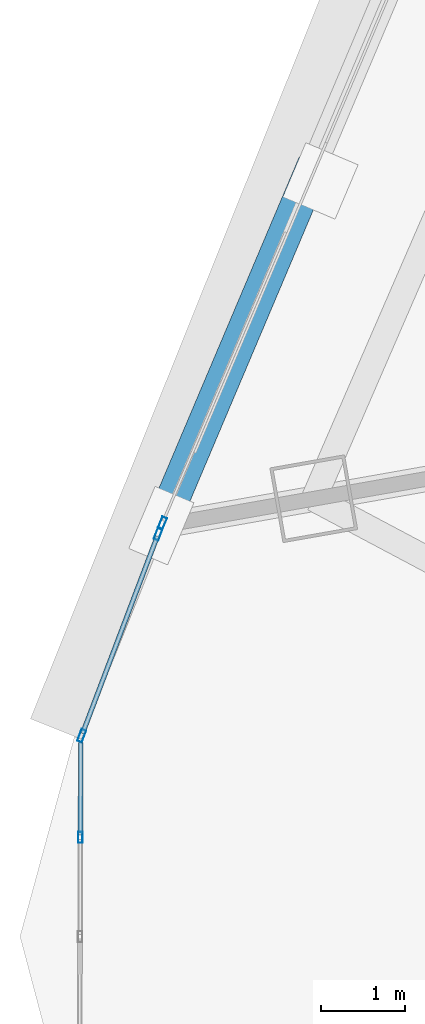
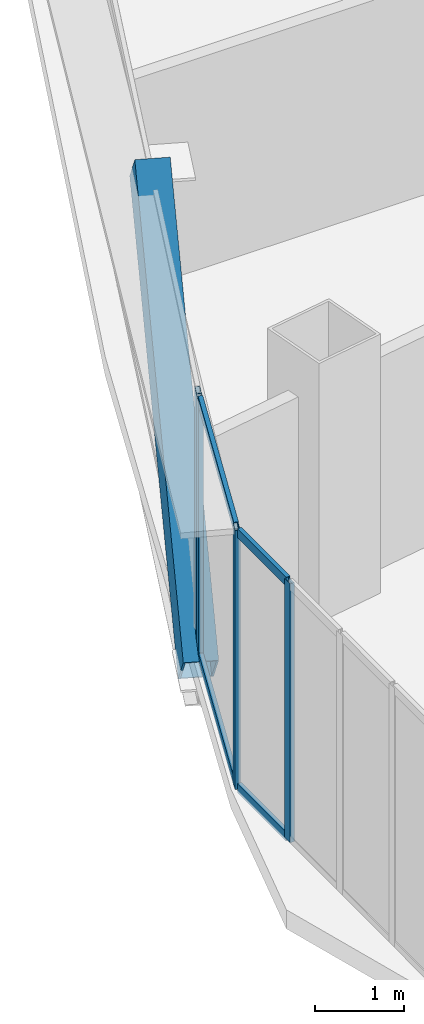
# One storey, part 4 of 37: 9 members, 3 elements without a shape of their own.
"""IFC4 building model written with IfcOpenShell, lengths in metres."""

import ifcopenshell
import ifcopenshell.guid

model = None  # the IFC model being written
_history = None  # IfcOwnerHistory: only IFC2X3 demands one
_inside = {}  # id of a spatial element -> (the spatial element, [elements in it])
_under = {}  # id of a project, library or spatial element -> (it, [spatial elements below it])
_declared = {}  # id of a project -> (the project, [libraries it declares])
_typed = {}  # id of a type object -> (the type object, [elements of that type])
_made_of = {}  # id of a material, layer set ... -> (it, [elements and type objects made of it])


def new_model(schema):
    """Start an empty IFC model of exactly this schema.

    Asked for "IFC4X3", IfcOpenShell would pick the latest addendum, in which some entities
    have other attributes; the version numbers below select the first issue.
    IFC2X3 requires an IfcOwnerHistory on every rooted entity: one is made here for all.
    """
    global model, _history
    if schema == "IFC4X3":
        model = ifcopenshell.file(schema_version=(4, 3, 0, 0))
    else:
        model = ifcopenshell.file(schema=schema)
    _inside.clear()
    _under.clear()
    _declared.clear()
    _typed.clear()
    _made_of.clear()
    _history = None
    if model.schema == "IFC2X3":
        org = make("IfcOrganization", Name="unknown")
        user = make(
            "IfcPersonAndOrganization",
            ThePerson=make("IfcPerson", FamilyName="unknown"),
            TheOrganization=org,
        )
        app = make(
            "IfcApplication",
            ApplicationDeveloper=org,
            Version="unknown",
            ApplicationFullName="unknown",
            ApplicationIdentifier="unknown",
        )
        _history = make(
            "IfcOwnerHistory",
            OwningUser=user,
            OwningApplication=app,
            ChangeAction="ADDED",
            CreationDate=0,
        )
    return model


def make(cls, **values):
    """One entity of the class cls with the attributes given. An attribute that is None is left unset."""
    return model.create_entity(
        cls, **{name: value for name, value in values.items() if value is not None}
    )


def rooted(cls, **values):
    """An entity with a GlobalId (a new one), such as an element, a storey or a relation."""
    return make(cls, GlobalId=ifcopenshell.guid.new(), OwnerHistory=_history, **values)


def si_unit(unit_type, name, prefix=None):
    """IfcSIUnit, for example si_unit("LENGTHUNIT", "METRE", prefix="MILLI")."""
    return make("IfcSIUnit", UnitType=unit_type, Prefix=prefix, Name=name)


def assignment(units):
    """IfcUnitAssignment: the units of a project."""
    return None if units is None else make("IfcUnitAssignment", Units=units)


def point(xyz):
    """IfcCartesianPoint."""
    return None if xyz is None else make("IfcCartesianPoint", Coordinates=xyz)


def direction(xyz):
    """IfcDirection."""
    return None if xyz is None else make("IfcDirection", DirectionRatios=xyz)


def frame(location, z_axis=None, x_axis=None):
    """IfcAxis2Placement3D, a coordinate frame: its origin and axes. An axis left out is left unset."""
    return make(
        "IfcAxis2Placement3D",
        Location=point(location),
        Axis=direction(z_axis),
        RefDirection=direction(x_axis),
    )


def frame_2d(location, x_axis=None):
    """IfcAxis2Placement2D, a coordinate frame in the plane: its origin and x axis."""
    return make(
        "IfcAxis2Placement2D", Location=point(location), RefDirection=direction(x_axis)
    )


def origin():
    """The frame at (0, 0, 0) with its axes left unset."""
    return frame((0.0, 0.0, 0.0))


def origin_2d():
    """The frame at (0, 0) in the plane with its x axis left unset."""
    return frame_2d((0.0, 0.0))


def place(relative_to, where):
    """IfcLocalPlacement: puts the frame where relative to a parent placement (None: the world)."""
    return make(
        "IfcLocalPlacement", PlacementRelTo=relative_to, RelativePlacement=where
    )


def context(
    kind, dimensions, precision=None, world=None, true_north=None, identifier=None
):
    """IfcGeometricRepresentationContext, for example the 3D "Model" context."""
    return make(
        "IfcGeometricRepresentationContext",
        ContextIdentifier=identifier,
        ContextType=kind,
        CoordinateSpaceDimension=dimensions,
        Precision=precision,
        WorldCoordinateSystem=world,
        TrueNorth=true_north,
    )


def subcontext(parent, identifier, kind, view, scale=None):
    """IfcGeometricRepresentationSubContext, for example "Body" below "Model"."""
    return make(
        "IfcGeometricRepresentationSubContext",
        ContextIdentifier=identifier,
        ContextType=kind,
        ParentContext=parent,
        TargetScale=scale,
        TargetView=view,
    )


def project(units=None, contexts=None):
    """IfcProject with its units and contexts."""
    return rooted(
        "IfcProject",
        Name="project",
        RepresentationContexts=contexts,
        UnitsInContext=assignment(units),
    )


def spatial(cls, under=None, at=None, **own):
    """A site, building, storey or space (cls), placed at a placement, below another one or the project."""
    s = rooted(cls, ObjectPlacement=at, **own)
    if under is not None:
        _under.setdefault(under.id(), (under, []))[1].append(s)
    return s


def profile(cls, at=None, kind="AREA", **sizes):
    """A parametric profile (cls). Its sizes go by their IFC names, for example OverallWidth=200.0."""
    return make(cls, ProfileType=kind, Position=at, **sizes)


def hollow_rectangle(**sizes):
    """IfcRectangleHollowProfileDef."""
    return profile("IfcRectangleHollowProfileDef", **sizes)


def extrude(swept, where, along, depth):
    """IfcExtrudedAreaSolid: the profile swept, set in the frame where, extruded along a direction by depth."""
    return make(
        "IfcExtrudedAreaSolid",
        SweptArea=swept,
        Position=where,
        ExtrudedDirection=direction(along),
        Depth=depth,
    )


def shape(context_of_items, identifier, shape_type, items):
    """IfcShapeRepresentation: the items that make up one representation, for example the "Body"."""
    return make(
        "IfcShapeRepresentation",
        ContextOfItems=context_of_items,
        RepresentationIdentifier=identifier,
        RepresentationType=shape_type,
        Items=items,
    )


def source(mapping_origin, context_of_items, identifier, shape_type, items):
    """IfcRepresentationMap: a shape defined once, which mapped items show again and again."""
    return make(
        "IfcRepresentationMap",
        MappingOrigin=mapping_origin,
        MappedRepresentation=shape(context_of_items, identifier, shape_type, items),
    )


def transform(
    local_origin,
    x_axis=None,
    y_axis=None,
    z_axis=None,
    scale=None,
    scale2=None,
    scale3=None,
    uniform=True,
):
    """IfcCartesianTransformationOperator3D, or its non-uniform kind. x_axis, y_axis, z_axis: its Axis1, 2, 3."""
    if uniform:
        return make(
            "IfcCartesianTransformationOperator3D",
            Axis1=direction(x_axis),
            Axis2=direction(y_axis),
            LocalOrigin=point(local_origin),
            Scale=scale,
            Axis3=direction(z_axis),
        )
    return make(
        "IfcCartesianTransformationOperator3DnonUniform",
        Axis1=direction(x_axis),
        Axis2=direction(y_axis),
        LocalOrigin=point(local_origin),
        Scale=scale,
        Axis3=direction(z_axis),
        Scale2=scale2,
        Scale3=scale3,
    )


def mapped(mapping_source, mapping_target):
    """IfcMappedItem: shows the shape of a source again, moved by a transform."""
    return make(
        "IfcMappedItem", MappingSource=mapping_source, MappingTarget=mapping_target
    )


def material(Name=None, Category=None):
    """IfcMaterial."""
    return make("IfcMaterial", Name=Name, Category=Category)


def layer(
    of_material, thickness, ventilated=None, Name=None, Category=None, Priority=None
):
    """IfcMaterialLayer: one layer of a wall or slab, of a material (None: an air gap)."""
    return make(
        "IfcMaterialLayer",
        Material=of_material,
        LayerThickness=thickness,
        IsVentilated=ventilated,
        Name=Name,
        Category=Category,
        Priority=Priority,
    )


def layer_set(layers, Name=None):
    """IfcMaterialLayerSet."""
    return make("IfcMaterialLayerSet", MaterialLayers=layers, LayerSetName=Name)


def material_profile(
    of_material, cross_section, Name=None, Category=None, Priority=None
):
    """IfcMaterialProfile: a cross section and its material."""
    return make(
        "IfcMaterialProfile",
        Name=Name,
        Material=of_material,
        Profile=cross_section,
        Priority=Priority,
        Category=Category,
    )


def profile_set(profiles, Name=None, composite=None):
    """IfcMaterialProfileSet."""
    return make(
        "IfcMaterialProfileSet",
        Name=Name,
        MaterialProfiles=profiles,
        CompositeProfile=composite,
    )


def made_of(thing, what):
    """Note that an element or type object is made of a material, layer set ...; save() writes the relation."""
    if what is not None:
        _made_of.setdefault(what.id(), (what, []))[1].append(thing)
    return thing


def type_object(cls, material=None, **own):
    """A type object (cls), such as IfcWallType, which elements share."""
    return made_of(rooted(cls, **own), material)


def element(
    cls,
    number,
    at=None,
    inside=None,
    cuts=None,
    type_object=None,
    material=None,
    context=None,
    identifier="Body",
    shape_type=None,
    held_by="IfcProductDefinitionShape",
    body=None,
    shapes=None,
    **own,
):
    """One element of the class cls, such as IfcWall. Its Tag is "e" and its number.

    at: its placement. inside: the storey or other place that contains it. cuts: it is an
    opening in that element (IfcRelVoidsElement). A single representation is given by context,
    identifier, shape_type and body (its items); several are given by shapes. held_by: the class
    of the entity that holds the representations. save() writes the other relations.
    """
    e = rooted(cls, Tag="e%d" % number, ObjectPlacement=at, **own)
    if body is not None:
        shapes = [shape(context, identifier, shape_type, body)]
    if shapes is not None:
        e.Representation = make(held_by, Representations=shapes)
    if inside is not None:
        _inside.setdefault(inside.id(), (inside, []))[1].append(e)
    if cuts is not None:
        rooted(
            "IfcRelVoidsElement", RelatingBuildingElement=cuts, RelatedOpeningElement=e
        )
    if type_object is not None:
        _typed.setdefault(type_object.id(), (type_object, []))[1].append(e)
    return made_of(e, material)


def aggregate(whole, parts):
    """IfcRelAggregates: a whole, such as a stair, and the parts it consists of."""
    return rooted("IfcRelAggregates", RelatingObject=whole, RelatedObjects=parts)


def save(model, path):
    """Write the relations noted so far, then the file.

    IfcRelAggregates (storeys below a building ...), IfcRelContainedInSpatialStructure (elements
    in a storey), IfcRelDefinesByType, IfcRelAssociatesMaterial and IfcRelDeclares: one each for
    every whole, place, type object, material and project.
    """
    for whole, parts in _under.values():
        aggregate(whole, parts)
    for where, things in _inside.values():
        rooted(
            "IfcRelContainedInSpatialStructure",
            RelatedElements=things,
            RelatingStructure=where,
        )
    for kind, things in _typed.values():
        rooted("IfcRelDefinesByType", RelatedObjects=things, RelatingType=kind)
    for what, things in _made_of.values():
        rooted("IfcRelAssociatesMaterial", RelatedObjects=things, RelatingMaterial=what)
    for by, libraries in _declared.values():
        rooted("IfcRelDeclares", RelatingContext=by, RelatedDefinitions=libraries)
    model.write(path)


model = new_model("IFC4")

# Units and contexts
model_context = context("Model", 3, precision=1e-05, world=origin(), true_north=direction((0.0, 1.0)))
body_context = subcontext(model_context, "Body", "Model", "MODEL_VIEW")
ifc_project = project(units=[si_unit("LENGTHUNIT", "METRE"), si_unit("AREAUNIT", "SQUARE_METRE"), si_unit("VOLUMEUNIT", "CUBIC_METRE"), si_unit("PLANEANGLEUNIT", "RADIAN"), si_unit("MASSUNIT", "GRAM", prefix="KILO"), si_unit("THERMODYNAMICTEMPERATUREUNIT", "KELVIN"), si_unit("POWERUNIT", "WATT")], contexts=[model_context])

# Site, building, storey
site_placement = place(None, origin())
site = spatial("IfcSite", under=ifc_project, at=site_placement, CompositionType="ELEMENT")
building_placement = place(site_placement, origin())
building = spatial("IfcBuilding", under=site, at=building_placement, Name="Yunzhuo Pagoda Commons", CompositionType="ELEMENT")
storey_placement = place(building_placement, frame((0.0, 0.0, 207.56005859375)))
storey = spatial("IfcBuildingStorey", under=building, at=storey_placement, Name="L52", CompositionType="ELEMENT", Elevation=207.56005859375)

# Member
ifc_material_1 = material(Name="Structural steel Q355B", Category="steel")
ifc_material_profile_1 = material_profile(ifc_material_1, hollow_rectangle(XDim=0.39990234375, YDim=0.719970703125, WallThickness=0.02392578125, at=origin_2d()), Name="Structural steel Q355B")
ifc_profile_set_1 = profile_set([ifc_material_profile_1], Name="Structural steel Q355B")
member_type_1 = type_object("IfcMemberType", Name="M-DL2 Brace BOX 720x400x24", PredefinedType="BRACE", material=ifc_profile_set_1)
shared_shape_1 = source(origin(), body_context, "Body", "SweptSolid", [
    extrude(hollow_rectangle(XDim=0.39990234375, YDim=0.719970703125, WallThickness=0.02392578125, at=origin_2d()), origin(), (0.0, 0.0, 1.0), 5.8349609375),
])
member_1_placement = place(storey_placement, frame((10.985595703125, 27.17333984375, -0.260009765625), z_axis=(0.295947496417, 0.698759110725, 0.651268596313), x_axis=(-0.920816502007, 0.389996114892, 0.0)))
element("IfcMember", 1, at=member_1_placement, inside=storey, type_object=member_type_1, Name="L52 facade diamond brace F3.3R", PredefinedType="BRACE", context=body_context, shape_type="MappedRepresentation", body=[
    mapped(shared_shape_1, transform((0.0, 0.0, 0.0), scale=1.0)),
])

# Curtain wall, member
ifc_material_2 = material(Name="Anodized aluminium 6063-T6", Category="aluminium")
ifc_layer_1 = layer(ifc_material_2, 0.1298828125)
ifc_layer_set_1 = layer_set([ifc_layer_1], Name="Anodized aluminium 6063-T6")
curtain_wall_type_1 = type_object("IfcCurtainWallType", Name="CW-VTX Rounded Corner Curtain Wall", PredefinedType="NOTDEFINED", material=ifc_layer_set_1)
curtain_wall_1_placement = place(storey_placement, origin())
curtain_wall_1 = element("IfcCurtainWall", 2, at=curtain_wall_1_placement, inside=storey, type_object=curtain_wall_type_1, Name="L52 curtain wall CW-L52-VTX1S1", PredefinedType="NOTDEFINED")
ifc_material_profile_2 = material_profile(ifc_material_2, hollow_rectangle(XDim=0.054931640625, YDim=0.1298828125, WallThickness=0.00341796875, at=origin_2d()), Name="Anodized aluminium 6063-T6")
ifc_profile_set_2 = profile_set([ifc_material_profile_2], Name="Anodized aluminium 6063-T6")
member_type_2 = type_object("IfcMemberType", Name="CW-VTX-M Mullion RHS 130x55x3.5", PredefinedType="MULLION", material=ifc_profile_set_2)
shared_shape_2 = source(origin(), body_context, "Body", "SweptSolid", [
    extrude(hollow_rectangle(XDim=0.054931640625, YDim=0.1298828125, WallThickness=0.00341796875, at=origin_2d()), origin(), (0.0, 0.0, 1.0), 3.5400390625),
])
member_2_placement = place(storey_placement, frame((10.025634765625, 23.475341796875, 0.0), z_axis=(0.0, 0.0, 1.0), x_axis=(0.999993564434, -0.00358763029, 0.0)))
member_2 = element("IfcMember", 3, at=member_2_placement, type_object=member_type_2, Name="CW mullion 2", PredefinedType="MULLION", context=body_context, shape_type="MappedRepresentation", body=[
    mapped(shared_shape_2, transform((0.0, 0.0, 0.0), scale=1.0)),
])

ifc_layer_2 = layer(ifc_material_2, 0.14990234375)
ifc_layer_set_2 = layer_set([ifc_layer_2], Name="Anodized aluminium 6063-T6")
curtain_wall_type_2 = type_object("IfcCurtainWallType", Name="CW-MID Mid-Zone Ribbon Curtain Wall", PredefinedType="NOTDEFINED", material=ifc_layer_set_2)
curtain_wall_2_placement = place(storey_placement, origin())
curtain_wall_2 = element("IfcCurtainWall", 4, at=curtain_wall_2_placement, inside=storey, type_object=curtain_wall_type_2, Name="L52 curtain wall CW-L52-F3B4", PredefinedType="NOTDEFINED")
ifc_material_profile_3 = material_profile(ifc_material_2, hollow_rectangle(XDim=0.06005859375, YDim=0.14990234375, WallThickness=0.00390625, at=origin_2d()), Name="Anodized aluminium 6063-T6")
ifc_profile_set_3 = profile_set([ifc_material_profile_3], Name="Anodized aluminium 6063-T6")
member_type_3 = type_object("IfcMemberType", Name="CW-MID-M Mullion RHS 150x60x4", PredefinedType="MULLION", material=ifc_profile_set_3)
shared_shape_3 = source(origin(), body_context, "Body", "SweptSolid", [
    extrude(hollow_rectangle(XDim=0.06005859375, YDim=0.14990234375, WallThickness=0.00390625, at=origin_2d()), origin(), (0.0, 0.0, 1.0), 3.5400390625),
])
member_3_placement = place(storey_placement, frame((10.99755859375, 27.200927734375, 0.0), z_axis=(0.0, 0.0, 1.0), x_axis=(0.920824274127, -0.389977763697, 0.0)))
member_3 = element("IfcMember", 5, at=member_3_placement, type_object=member_type_3, Name="CW mullion 2", PredefinedType="MULLION", context=body_context, shape_type="MappedRepresentation", body=[
    mapped(shared_shape_3, transform((0.0, 0.0, 0.0), scale=1.0)),
])
aggregate(curtain_wall_2, [member_3])

# Curtain wall, members
curtain_wall_3_placement = place(storey_placement, origin())
curtain_wall_3 = element("IfcCurtainWall", 6, at=curtain_wall_3_placement, inside=storey, type_object=curtain_wall_type_2, Name="L52 curtain wall CW-L52-F3B5", PredefinedType="NOTDEFINED")
member_4_placement = place(storey_placement, frame((10.9482421875, 27.0751953125, 0.0), z_axis=(0.0, 0.0, 1.0), x_axis=(0.935033739191, -0.354558749116, 0.0)))
member_4 = element("IfcMember", 7, at=member_4_placement, type_object=member_type_3, Name="CW mullion 1", PredefinedType="MULLION", context=body_context, shape_type="MappedRepresentation", body=[
    mapped(shared_shape_3, transform((0.0, 0.0, 0.0), scale=1.0)),
])
member_5_placement = place(storey_placement, frame((10.04052734375, 24.68115234375, 0.0), z_axis=(0.0, 0.0, 1.0), x_axis=(0.935033739191, -0.354558749116, 0.0)))
member_5 = element("IfcMember", 8, at=member_5_placement, type_object=member_type_3, Name="CW mullion 2", PredefinedType="MULLION", context=body_context, shape_type="MappedRepresentation", body=[
    mapped(shared_shape_3, transform((0.0, 0.0, 0.0), scale=1.0)),
])
ifc_material_profile_4 = material_profile(ifc_material_2, hollow_rectangle(XDim=0.054931640625, YDim=0.1298828125, WallThickness=0.00341796875, at=origin_2d()), Name="Anodized aluminium 6063-T6")
ifc_profile_set_4 = profile_set([ifc_material_profile_4], Name="Anodized aluminium 6063-T6")
member_type_4 = type_object("IfcMemberType", Name="CW-MID-T Transom RHS 130x55x3.5", PredefinedType="USERDEFINED", material=ifc_profile_set_4)
shared_shape_4 = source(origin(), body_context, "Body", "SweptSolid", [
    extrude(hollow_rectangle(XDim=0.054931640625, YDim=0.1298828125, WallThickness=0.00341796875, at=origin_2d()), origin(), (0.0, 0.0, 1.0), 2.500732421875),
])
member_6_placement = place(storey_placement, frame((10.937744140625, 27.047119140625, 0.02734375), z_axis=(-0.354598313462, -0.935018735689, 0.0), x_axis=(0.935018735689, -0.354598313462, 0.0)))
member_6 = element("IfcMember", 9, at=member_6_placement, type_object=member_type_4, Name="CW transom 1.1", ObjectType="TRANSOM", PredefinedType="USERDEFINED", context=body_context, shape_type="MappedRepresentation", body=[
    mapped(shared_shape_4, transform((0.0, 0.0, 0.0), scale=1.0)),
])
member_7_placement = place(storey_placement, frame((10.937744140625, 27.047119140625, 3.512451171875), z_axis=(-0.354598313462, -0.935018735689, 0.0), x_axis=(0.935018735689, -0.354598313462, 0.0)))
member_7 = element("IfcMember", 10, at=member_7_placement, type_object=member_type_4, Name="CW transom 1.2", ObjectType="TRANSOM", PredefinedType="USERDEFINED", context=body_context, shape_type="MappedRepresentation", body=[
    mapped(shared_shape_4, transform((0.0, 0.0, 0.0), scale=1.0)),
])
aggregate(curtain_wall_3, [member_4, member_5, member_6, member_7])

# Member
ifc_material_profile_5 = material_profile(ifc_material_2, hollow_rectangle(XDim=0.054931640625, YDim=0.1201171875, WallThickness=0.00341796875, at=origin_2d()), Name="Anodized aluminium 6063-T6")
ifc_profile_set_5 = profile_set([ifc_material_profile_5], Name="Anodized aluminium 6063-T6")
member_type_5 = type_object("IfcMemberType", Name="CW-VTX-T Transom RHS 120x55x3.5", PredefinedType="USERDEFINED", material=ifc_profile_set_5)
shared_shape_5 = source(origin(), body_context, "Body", "SweptSolid", [
    extrude(hollow_rectangle(XDim=0.054931640625, YDim=0.1201171875, WallThickness=0.00341796875, at=origin_2d()), origin(), (0.0, 0.0, 1.0), 1.094970703125),
])
member_8_placement = place(storey_placement, frame((10.029541015625, 24.597900390625, 0.02734375), z_axis=(-0.003567424345, -0.999993636722, 0.0), x_axis=(0.999993636722, -0.003567424345, 0.0)))
member_8 = element("IfcMember", 11, at=member_8_placement, type_object=member_type_5, Name="CW transom 1.1", ObjectType="TRANSOM", PredefinedType="USERDEFINED", context=body_context, shape_type="MappedRepresentation", body=[
    mapped(shared_shape_5, transform((0.0, 0.0, 0.0), scale=1.0)),
])

member_9_placement = place(storey_placement, frame((10.029541015625, 24.597900390625, 3.512451171875), z_axis=(-0.003567424345, -0.999993636722, 0.0), x_axis=(0.999993636722, -0.003567424345, 0.0)))
member_9 = element("IfcMember", 12, at=member_9_placement, type_object=member_type_5, Name="CW transom 1.2", ObjectType="TRANSOM", PredefinedType="USERDEFINED", context=body_context, shape_type="MappedRepresentation", body=[
    mapped(shared_shape_5, transform((0.0, 0.0, 0.0), scale=1.0)),
])

aggregate(curtain_wall_1, [member_2, member_8, member_9])

save(model, "model.ifc")
